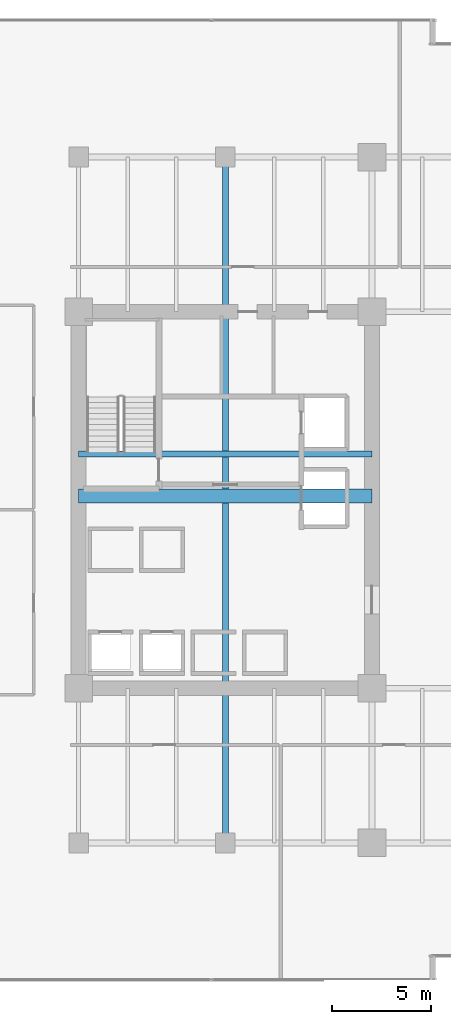
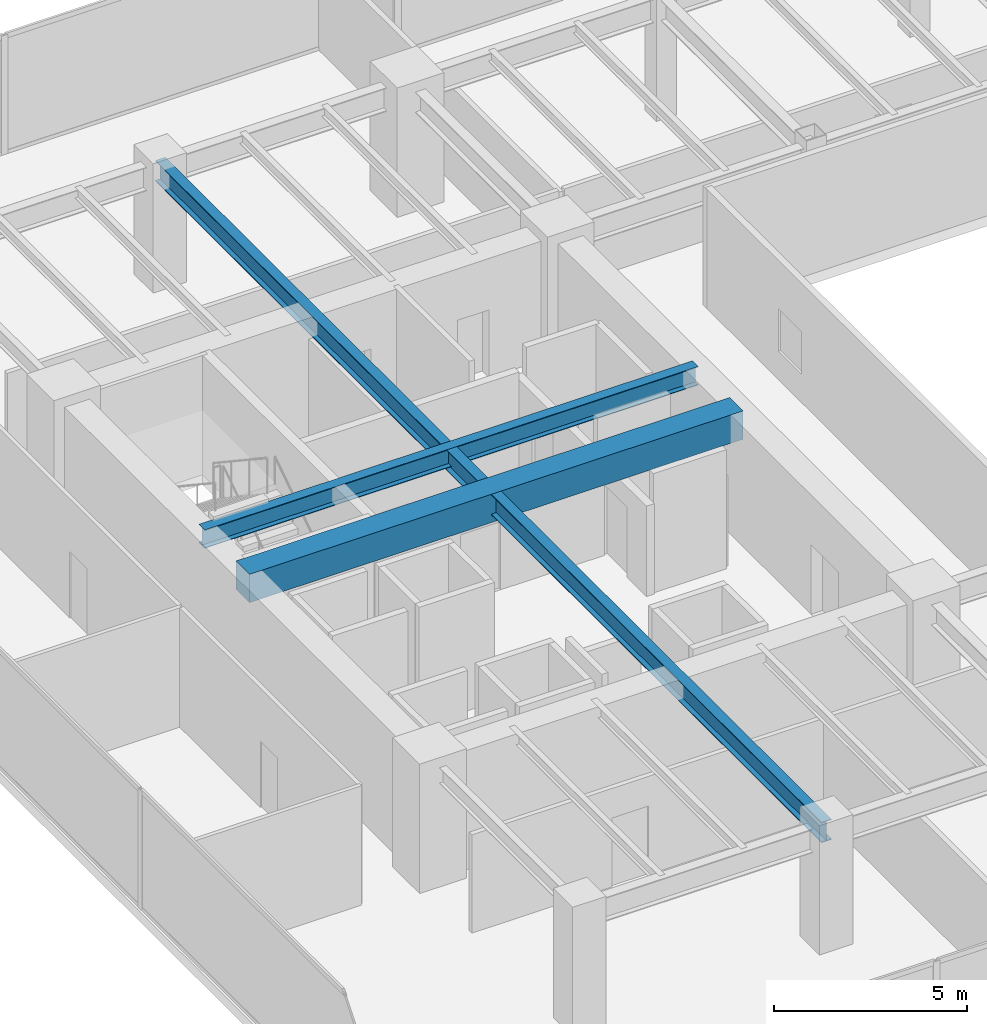
# One storey, part 7 of 35: 3 beams.
"""IFC4 building model written with IfcOpenShell, lengths in metres."""

from ifc_helpers import new_model, si_unit, direction, frame, origin, origin_2d, place, context, subcontext, project, spatial, rectangle, i_section, extrude, source, transform, mapped, material, material_profile, profile_set, type_object, type_shapes, element, save


model = new_model("IFC4")

# Units and contexts
model_context = context("Model", 3, precision=1e-05, world=origin(), true_north=direction((0.0, 1.0)))
body_context = subcontext(model_context, "Body", "Model", "MODEL_VIEW")
ifc_project = project(units=[si_unit("LENGTHUNIT", "METRE"), si_unit("AREAUNIT", "SQUARE_METRE"), si_unit("VOLUMEUNIT", "CUBIC_METRE"), si_unit("PLANEANGLEUNIT", "RADIAN"), si_unit("MASSUNIT", "GRAM", prefix="KILO")], contexts=[model_context])

# Site, building, storey
site_placement = place(None, origin())
site = spatial("IfcSite", under=ifc_project, at=site_placement, CompositionType="ELEMENT")
building_placement = place(site_placement, origin())
building = spatial("IfcBuilding", under=site, at=building_placement, Name="Haelvirn Gate Laboratories", CompositionType="ELEMENT")
storey_placement = place(building_placement, frame((0.0, 0.0, 86.699951171875)))
storey = spatial("IfcBuildingStorey", under=building, at=storey_placement, Name="L21", CompositionType="ELEMENT", Elevation=86.699951171875)

# Beams
ifc_material_1 = material(Name="Concrete C60/75", Category="concrete")
ifc_material_profile_1 = material_profile(ifc_material_1, rectangle(XDim=0.699951171875, YDim=0.89990234375, at=origin_2d()), Name="RCB-700x900")
ifc_profile_set_1 = profile_set([ifc_material_profile_1], Name="Concrete C60/75")
beam_type_1 = type_object("IfcBeamType", Name="BM-RCB-900", PredefinedType="LINTEL", material=ifc_profile_set_1)
shared_shape_1 = source(origin(), body_context, "Body", "SweptSolid", [
    extrude(rectangle(XDim=0.699951171875, YDim=0.89990234375, at=origin_2d()), origin(), (0.0, 0.0, 1.0), 14.800048828125),
])
type_shapes(beam_type_1, [shared_shape_1])
beam_1_placement = place(storey_placement, frame((7.39990234375, 24.5, 3.330078125), z_axis=(1.0, 0.0, 0.0), x_axis=(0.0, 1.0, 0.0)))
element("IfcBeam", 1, at=beam_1_placement, inside=storey, type_object=beam_type_1, Name="L21 West Core Coupling Beam", PredefinedType="LINTEL", context=body_context, shape_type="MappedRepresentation", body=[
    mapped(shared_shape_1, transform((0.0, 0.0, 0.0), scale=1.0)),
])
ifc_material_2 = material(Name="Steel SM355", Category="steel")
ifc_material_profile_2 = material_profile(ifc_material_2, i_section(OverallWidth=0.300048828125, OverallDepth=0.587890625, WebThickness=0.011962890625, FlangeThickness=0.02001953125, at=origin_2d()), Name="H-588x300x12x20")
ifc_profile_set_2 = profile_set([ifc_material_profile_2], Name="Steel SM355")
beam_type_2 = type_object("IfcBeamType", Name="BM-G-588", PredefinedType="BEAM", material=ifc_profile_set_2)
shared_shape_2 = source(origin(), body_context, "Body", "SweptSolid", [
    extrude(i_section(OverallWidth=0.300048828125, OverallDepth=0.587890625, WebThickness=0.011962890625, FlangeThickness=0.02001953125, at=origin_2d()), origin(), (0.0, 0.0, 1.0), 14.800048828125),
])
type_shapes(beam_type_2, [shared_shape_2])
beam_2_placement = place(storey_placement, frame((7.39990234375, 26.6201171875, 3.486083984375), z_axis=(1.0, 0.0, 0.0), x_axis=(0.0, 1.0, 0.0)))
element("IfcBeam", 2, at=beam_2_placement, inside=storey, type_object=beam_type_2, Name="L21 Stair ST1 Landing Header", PredefinedType="BEAM", context=body_context, shape_type="MappedRepresentation", body=[
    mapped(shared_shape_2, transform((0.0, 0.0, 0.0), scale=1.0)),
])
ifc_material_profile_3 = material_profile(ifc_material_2, i_section(OverallWidth=0.300048828125, OverallDepth=0.64990234375, WebThickness=0.012939453125, FlangeThickness=0.02197265625, at=origin_2d()), Name="H-650x300x13x22")
ifc_profile_set_3 = profile_set([ifc_material_profile_3], Name="Steel SM355")
beam_type_3 = type_object("IfcBeamType", Name="BM-G-650", PredefinedType="BEAM", material=ifc_profile_set_3)
shared_shape_3 = source(origin(), body_context, "Body", "SweptSolid", [
    extrude(i_section(OverallWidth=0.300048828125, OverallDepth=0.64990234375, WebThickness=0.012939453125, FlangeThickness=0.02197265625, at=origin_2d()), origin(), (0.0, 0.0, 1.0), 34.60009765625),
])
type_shapes(beam_type_3, [shared_shape_3])
beam_3_placement = place(storey_placement, frame((14.800048828125, 7.0, 3.455078125), z_axis=(0.0, 1.0, 0.0), x_axis=(-1.0, 0.0, 0.0)))
element("IfcBeam", 3, at=beam_3_placement, inside=storey, type_object=beam_type_3, Name="L21 Frame Girder X14.8 (7.0-41.6)", PredefinedType="BEAM", context=body_context, shape_type="MappedRepresentation", body=[
    mapped(shared_shape_3, transform((0.0, 0.0, 0.0), scale=1.0)),
])

save(model, "model.ifc")
